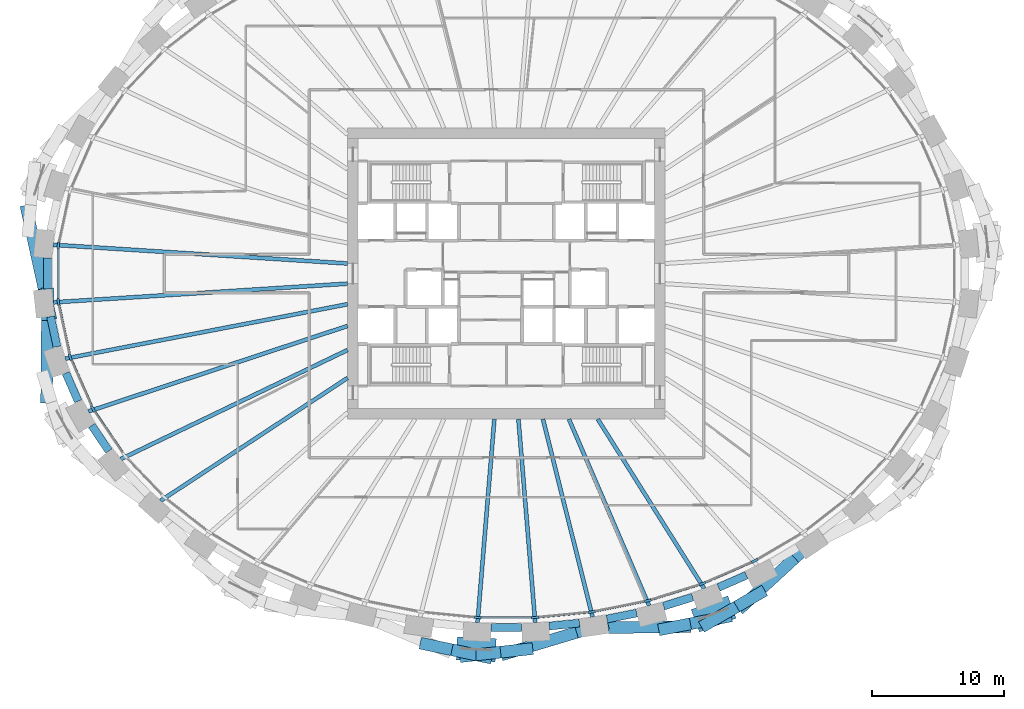
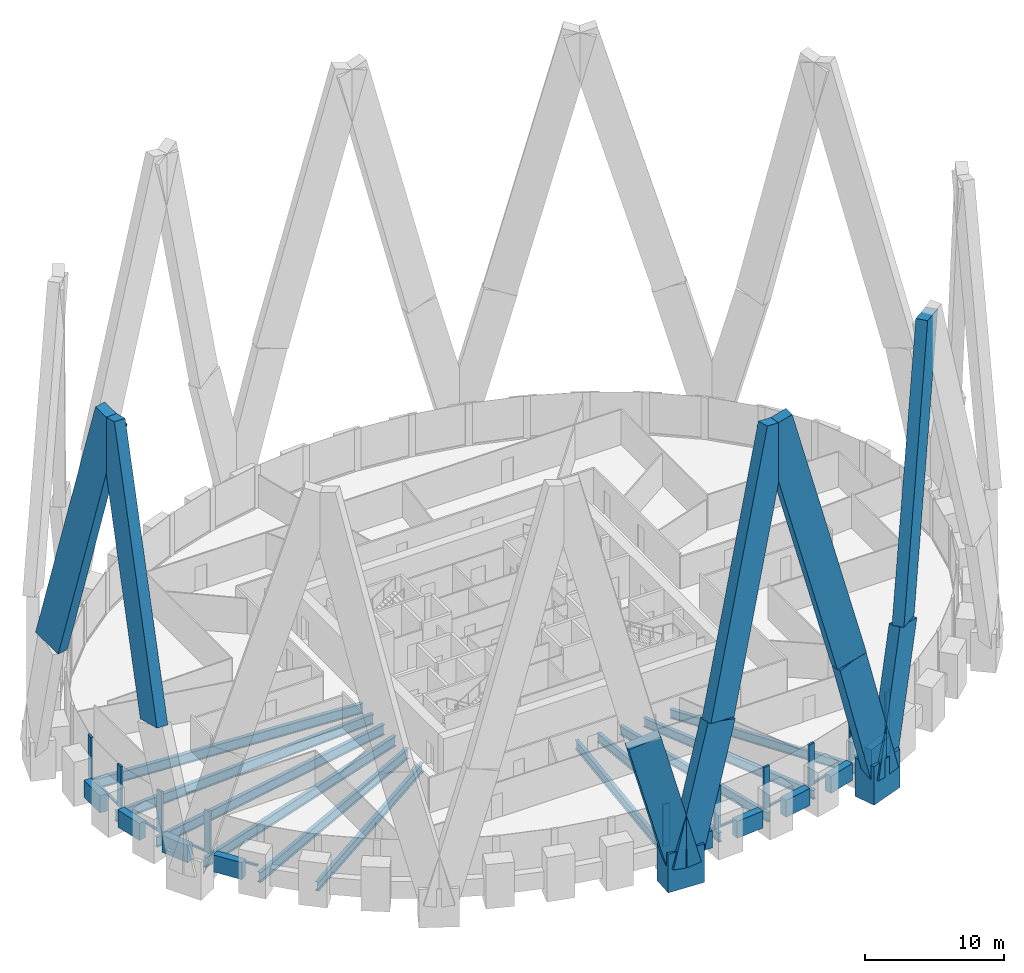
# One storey, part 2 of 12: 30 members, 20 beams, 1 element without a shape of its own.
"""IFC4 building model written with IfcOpenShell, lengths in metres."""

import ifcopenshell
import ifcopenshell.guid

model = None  # the IFC model being written
_history = None  # IfcOwnerHistory: only IFC2X3 demands one
_inside = {}  # id of a spatial element -> (the spatial element, [elements in it])
_under = {}  # id of a project, library or spatial element -> (it, [spatial elements below it])
_declared = {}  # id of a project -> (the project, [libraries it declares])
_typed = {}  # id of a type object -> (the type object, [elements of that type])
_made_of = {}  # id of a material, layer set ... -> (it, [elements and type objects made of it])


def new_model(schema):
    """Start an empty IFC model of exactly this schema.

    Asked for "IFC4X3", IfcOpenShell would pick the latest addendum, in which some entities
    have other attributes; the version numbers below select the first issue.
    IFC2X3 requires an IfcOwnerHistory on every rooted entity: one is made here for all.
    """
    global model, _history
    if schema == "IFC4X3":
        model = ifcopenshell.file(schema_version=(4, 3, 0, 0))
    else:
        model = ifcopenshell.file(schema=schema)
    _inside.clear()
    _under.clear()
    _declared.clear()
    _typed.clear()
    _made_of.clear()
    _history = None
    if model.schema == "IFC2X3":
        org = make("IfcOrganization", Name="unknown")
        user = make(
            "IfcPersonAndOrganization",
            ThePerson=make("IfcPerson", FamilyName="unknown"),
            TheOrganization=org,
        )
        app = make(
            "IfcApplication",
            ApplicationDeveloper=org,
            Version="unknown",
            ApplicationFullName="unknown",
            ApplicationIdentifier="unknown",
        )
        _history = make(
            "IfcOwnerHistory",
            OwningUser=user,
            OwningApplication=app,
            ChangeAction="ADDED",
            CreationDate=0,
        )
    return model


def make(cls, **values):
    """One entity of the class cls with the attributes given. An attribute that is None is left unset."""
    return model.create_entity(
        cls, **{name: value for name, value in values.items() if value is not None}
    )


def rooted(cls, **values):
    """An entity with a GlobalId (a new one), such as an element, a storey or a relation."""
    return make(cls, GlobalId=ifcopenshell.guid.new(), OwnerHistory=_history, **values)


def si_unit(unit_type, name, prefix=None):
    """IfcSIUnit, for example si_unit("LENGTHUNIT", "METRE", prefix="MILLI")."""
    return make("IfcSIUnit", UnitType=unit_type, Prefix=prefix, Name=name)


def assignment(units):
    """IfcUnitAssignment: the units of a project."""
    return None if units is None else make("IfcUnitAssignment", Units=units)


def point(xyz):
    """IfcCartesianPoint."""
    return None if xyz is None else make("IfcCartesianPoint", Coordinates=xyz)


def direction(xyz):
    """IfcDirection."""
    return None if xyz is None else make("IfcDirection", DirectionRatios=xyz)


def frame(location, z_axis=None, x_axis=None):
    """IfcAxis2Placement3D, a coordinate frame: its origin and axes. An axis left out is left unset."""
    return make(
        "IfcAxis2Placement3D",
        Location=point(location),
        Axis=direction(z_axis),
        RefDirection=direction(x_axis),
    )


def frame_2d(location, x_axis=None):
    """IfcAxis2Placement2D, a coordinate frame in the plane: its origin and x axis."""
    return make(
        "IfcAxis2Placement2D", Location=point(location), RefDirection=direction(x_axis)
    )


def origin():
    """The frame at (0, 0, 0) with its axes left unset."""
    return frame((0.0, 0.0, 0.0))


def origin_2d():
    """The frame at (0, 0) in the plane with its x axis left unset."""
    return frame_2d((0.0, 0.0))


def place(relative_to, where):
    """IfcLocalPlacement: puts the frame where relative to a parent placement (None: the world)."""
    return make(
        "IfcLocalPlacement", PlacementRelTo=relative_to, RelativePlacement=where
    )


def context(
    kind, dimensions, precision=None, world=None, true_north=None, identifier=None
):
    """IfcGeometricRepresentationContext, for example the 3D "Model" context."""
    return make(
        "IfcGeometricRepresentationContext",
        ContextIdentifier=identifier,
        ContextType=kind,
        CoordinateSpaceDimension=dimensions,
        Precision=precision,
        WorldCoordinateSystem=world,
        TrueNorth=true_north,
    )


def subcontext(parent, identifier, kind, view, scale=None):
    """IfcGeometricRepresentationSubContext, for example "Body" below "Model"."""
    return make(
        "IfcGeometricRepresentationSubContext",
        ContextIdentifier=identifier,
        ContextType=kind,
        ParentContext=parent,
        TargetScale=scale,
        TargetView=view,
    )


def project(units=None, contexts=None):
    """IfcProject with its units and contexts."""
    return rooted(
        "IfcProject",
        Name="project",
        RepresentationContexts=contexts,
        UnitsInContext=assignment(units),
    )


def spatial(cls, under=None, at=None, **own):
    """A site, building, storey or space (cls), placed at a placement, below another one or the project."""
    s = rooted(cls, ObjectPlacement=at, **own)
    if under is not None:
        _under.setdefault(under.id(), (under, []))[1].append(s)
    return s


def profile(cls, at=None, kind="AREA", **sizes):
    """A parametric profile (cls). Its sizes go by their IFC names, for example OverallWidth=200.0."""
    return make(cls, ProfileType=kind, Position=at, **sizes)


def rectangle(**sizes):
    """IfcRectangleProfileDef."""
    return profile("IfcRectangleProfileDef", **sizes)


def i_section(**sizes):
    """IfcIShapeProfileDef."""
    return profile("IfcIShapeProfileDef", **sizes)


def extrude(swept, where, along, depth):
    """IfcExtrudedAreaSolid: the profile swept, set in the frame where, extruded along a direction by depth."""
    return make(
        "IfcExtrudedAreaSolid",
        SweptArea=swept,
        Position=where,
        ExtrudedDirection=direction(along),
        Depth=depth,
    )


def shape(context_of_items, identifier, shape_type, items):
    """IfcShapeRepresentation: the items that make up one representation, for example the "Body"."""
    return make(
        "IfcShapeRepresentation",
        ContextOfItems=context_of_items,
        RepresentationIdentifier=identifier,
        RepresentationType=shape_type,
        Items=items,
    )


def source(mapping_origin, context_of_items, identifier, shape_type, items):
    """IfcRepresentationMap: a shape defined once, which mapped items show again and again."""
    return make(
        "IfcRepresentationMap",
        MappingOrigin=mapping_origin,
        MappedRepresentation=shape(context_of_items, identifier, shape_type, items),
    )


def transform(
    local_origin,
    x_axis=None,
    y_axis=None,
    z_axis=None,
    scale=None,
    scale2=None,
    scale3=None,
    uniform=True,
):
    """IfcCartesianTransformationOperator3D, or its non-uniform kind. x_axis, y_axis, z_axis: its Axis1, 2, 3."""
    if uniform:
        return make(
            "IfcCartesianTransformationOperator3D",
            Axis1=direction(x_axis),
            Axis2=direction(y_axis),
            LocalOrigin=point(local_origin),
            Scale=scale,
            Axis3=direction(z_axis),
        )
    return make(
        "IfcCartesianTransformationOperator3DnonUniform",
        Axis1=direction(x_axis),
        Axis2=direction(y_axis),
        LocalOrigin=point(local_origin),
        Scale=scale,
        Axis3=direction(z_axis),
        Scale2=scale2,
        Scale3=scale3,
    )


def mapped(mapping_source, mapping_target):
    """IfcMappedItem: shows the shape of a source again, moved by a transform."""
    return make(
        "IfcMappedItem", MappingSource=mapping_source, MappingTarget=mapping_target
    )


def material(Name=None, Category=None):
    """IfcMaterial."""
    return make("IfcMaterial", Name=Name, Category=Category)


def material_profile(
    of_material, cross_section, Name=None, Category=None, Priority=None
):
    """IfcMaterialProfile: a cross section and its material."""
    return make(
        "IfcMaterialProfile",
        Name=Name,
        Material=of_material,
        Profile=cross_section,
        Priority=Priority,
        Category=Category,
    )


def profile_set(profiles, Name=None, composite=None):
    """IfcMaterialProfileSet."""
    return make(
        "IfcMaterialProfileSet",
        Name=Name,
        MaterialProfiles=profiles,
        CompositeProfile=composite,
    )


def made_of(thing, what):
    """Note that an element or type object is made of a material, layer set ...; save() writes the relation."""
    if what is not None:
        _made_of.setdefault(what.id(), (what, []))[1].append(thing)
    return thing


def type_object(cls, material=None, **own):
    """A type object (cls), such as IfcWallType, which elements share."""
    return made_of(rooted(cls, **own), material)


def element(
    cls,
    number,
    at=None,
    inside=None,
    cuts=None,
    type_object=None,
    material=None,
    context=None,
    identifier="Body",
    shape_type=None,
    held_by="IfcProductDefinitionShape",
    body=None,
    shapes=None,
    **own,
):
    """One element of the class cls, such as IfcWall. Its Tag is "e" and its number.

    at: its placement. inside: the storey or other place that contains it. cuts: it is an
    opening in that element (IfcRelVoidsElement). A single representation is given by context,
    identifier, shape_type and body (its items); several are given by shapes. held_by: the class
    of the entity that holds the representations. save() writes the other relations.
    """
    e = rooted(cls, Tag="e%d" % number, ObjectPlacement=at, **own)
    if body is not None:
        shapes = [shape(context, identifier, shape_type, body)]
    if shapes is not None:
        e.Representation = make(held_by, Representations=shapes)
    if inside is not None:
        _inside.setdefault(inside.id(), (inside, []))[1].append(e)
    if cuts is not None:
        rooted(
            "IfcRelVoidsElement", RelatingBuildingElement=cuts, RelatedOpeningElement=e
        )
    if type_object is not None:
        _typed.setdefault(type_object.id(), (type_object, []))[1].append(e)
    return made_of(e, material)


def aggregate(whole, parts):
    """IfcRelAggregates: a whole, such as a stair, and the parts it consists of."""
    return rooted("IfcRelAggregates", RelatingObject=whole, RelatedObjects=parts)


def save(model, path):
    """Write the relations noted so far, then the file.

    IfcRelAggregates (storeys below a building ...), IfcRelContainedInSpatialStructure (elements
    in a storey), IfcRelDefinesByType, IfcRelAssociatesMaterial and IfcRelDeclares: one each for
    every whole, place, type object, material and project.
    """
    for whole, parts in _under.values():
        aggregate(whole, parts)
    for where, things in _inside.values():
        rooted(
            "IfcRelContainedInSpatialStructure",
            RelatedElements=things,
            RelatingStructure=where,
        )
    for kind, things in _typed.values():
        rooted("IfcRelDefinesByType", RelatedObjects=things, RelatingType=kind)
    for what, things in _made_of.values():
        rooted("IfcRelAssociatesMaterial", RelatedObjects=things, RelatingMaterial=what)
    for by, libraries in _declared.values():
        rooted("IfcRelDeclares", RelatingContext=by, RelatedDefinitions=libraries)
    model.write(path)


model = new_model("IFC4")

# Units and contexts
model_context = context("Model", 3, precision=1e-05, world=origin(), true_north=direction((0.0, 1.0)))
body_context = subcontext(model_context, "Body", "Model", "MODEL_VIEW")
ifc_project = project(units=[si_unit("LENGTHUNIT", "METRE"), si_unit("AREAUNIT", "SQUARE_METRE"), si_unit("VOLUMEUNIT", "CUBIC_METRE"), si_unit("PLANEANGLEUNIT", "RADIAN"), si_unit("MASSUNIT", "GRAM", prefix="KILO")], contexts=[model_context])

# Site, building, storey
site_placement = place(None, origin())
site = spatial("IfcSite", under=ifc_project, at=site_placement, CompositionType="ELEMENT")
building_placement = place(site_placement, origin())
building = spatial("IfcBuilding", under=site, at=building_placement, Name="Embergate Tower", CompositionType="ELEMENT")
storey_placement = place(building_placement, frame((0.0, 0.0, 222.89990234375)))
storey = spatial("IfcBuildingStorey", under=building, at=storey_placement, Name="L51", CompositionType="ELEMENT", Elevation=222.89990234375)

# Beams
ifc_material_1 = material(Name="Concrete C60", Category="concrete")
ifc_material_profile_1 = material_profile(ifc_material_1, rectangle(XDim=0.60009765625, YDim=1.5, at=origin_2d()), Name="RC 600x1500")
ifc_profile_set_1 = profile_set([ifc_material_profile_1], Name="Concrete C60")
beam_type_1 = type_object("IfcBeamType", Name="Spandrel beam RC 600x1500 C60", PredefinedType="BEAM", material=ifc_profile_set_1)
shared_shape_1 = source(origin(), body_context, "Body", "SweptSolid", [
    extrude(rectangle(XDim=0.60009765625, YDim=1.5, at=origin_2d()), origin(), (0.0, 0.0, 1.0), 2.326171875),
])
beam_1_placement = place(storey_placement, frame((-34.43701171875, -3.2529296875, 0.0), z_axis=(0.210224296762, -0.977653182397, 0.0), x_axis=(0.977653182397, 0.210224296762, 0.0)))
element("IfcBeam", 1, at=beam_1_placement, inside=storey, type_object=beam_type_1, Name="SPN-L51-22", PredefinedType="BEAM", context=body_context, shape_type="MappedRepresentation", body=[
    mapped(shared_shape_1, transform((0.0, 0.0, 0.0))),
])
shared_shape_2 = source(origin(), body_context, "Body", "SweptSolid", [
    extrude(rectangle(XDim=0.60009765625, YDim=1.5, at=origin_2d()), origin(), (0.0, 0.0, 1.0), 2.3193359375),
])
beam_2_placement = place(storey_placement, frame((-33.282958984375, -7.51904296875, 0.0), z_axis=(0.401768353021, -0.915741333844, 0.0), x_axis=(0.915741333844, 0.401768353021, 0.0)))
element("IfcBeam", 2, at=beam_2_placement, inside=storey, type_object=beam_type_1, Name="SPN-L51-23", PredefinedType="BEAM", context=body_context, shape_type="MappedRepresentation", body=[
    mapped(shared_shape_2, transform((0.0, 0.0, 0.0))),
])
shared_shape_3 = source(origin(), body_context, "Body", "SweptSolid", [
    extrude(rectangle(XDim=0.60009765625, YDim=1.5, at=origin_2d()), origin(), (0.0, 0.0, 1.0), 2.315673828125),
])
beam_3_placement = place(storey_placement, frame((-31.3349609375, -11.47998046875, 0.0), z_axis=(0.562243694996, -0.82697160014, 0.0), x_axis=(0.82697160014, 0.562243694996, 0.0)))
element("IfcBeam", 3, at=beam_3_placement, inside=storey, type_object=beam_type_1, Name="SPN-L51-24", PredefinedType="BEAM", context=body_context, shape_type="MappedRepresentation", body=[
    mapped(shared_shape_3, transform((0.0, 0.0, 0.0))),
])
shared_shape_4 = source(origin(), body_context, "Body", "SweptSolid", [
    extrude(rectangle(XDim=0.60009765625, YDim=1.5, at=origin_2d()), origin(), (0.0, 0.0, 1.0), 2.294189453125),
])
beam_4_placement = place(storey_placement, frame((16.033935546875, -23.712890625, 0.0), z_axis=(0.916269649714, 0.400562016437, 0.0), x_axis=(-0.400562016437, 0.916269649714, 0.0)))
element("IfcBeam", 4, at=beam_4_placement, inside=storey, type_object=beam_type_1, Name="SPN-L51-36", PredefinedType="BEAM", context=body_context, shape_type="MappedRepresentation", body=[
    mapped(shared_shape_4, transform((0.0, 0.0, 0.0))),
])
shared_shape_5 = source(origin(), body_context, "Body", "SweptSolid", [
    extrude(rectangle(XDim=0.60009765625, YDim=1.5, at=origin_2d()), origin(), (0.0, 0.0, 1.0), 2.29248046875),
])
beam_5_placement = place(storey_placement, frame((11.8779296875, -25.1279296875, 0.0), z_axis=(0.954869530389, 0.297025554345, 0.0), x_axis=(-0.297025554345, 0.954869530389, 0.0)))
element("IfcBeam", 5, at=beam_5_placement, inside=storey, type_object=beam_type_1, Name="SPN-L51-35", PredefinedType="BEAM", context=body_context, shape_type="MappedRepresentation", body=[
    mapped(shared_shape_5, transform((0.0, 0.0, 0.0))),
])
shared_shape_6 = source(origin(), body_context, "Body", "SweptSolid", [
    extrude(rectangle(XDim=0.60009765625, YDim=1.5, at=origin_2d()), origin(), (0.0, 0.0, 1.0), 2.289794921875),
])
beam_6_placement = place(storey_placement, frame((7.597900390625, -26.097900390625, 0.0), z_axis=(0.980502681686, 0.196505702735, 0.0), x_axis=(-0.196505702735, 0.980502681686, 0.0)))
element("IfcBeam", 6, at=beam_6_placement, inside=storey, type_object=beam_type_1, Name="SPN-L51-34", PredefinedType="BEAM", context=body_context, shape_type="MappedRepresentation", body=[
    mapped(shared_shape_6, transform((0.0, 0.0, 0.0))),
])
shared_shape_7 = source(origin(), body_context, "Body", "SweptSolid", [
    extrude(rectangle(XDim=0.60009765625, YDim=1.5, at=origin_2d()), origin(), (0.0, 0.0, 1.0), 2.2890625),
])
beam_7_placement = place(storey_placement, frame((3.242919921875, -26.632080078125, 0.0), z_axis=(0.995195366702, 0.097909050116, 0.0), x_axis=(-0.097909050116, 0.995195366702, 0.0)))
element("IfcBeam", 7, at=beam_7_placement, inside=storey, type_object=beam_type_1, Name="SPN-L51-33", PredefinedType="BEAM", context=body_context, shape_type="MappedRepresentation", body=[
    mapped(shared_shape_7, transform((0.0, 0.0, 0.0))),
])
shared_shape_8 = source(origin(), body_context, "Body", "SweptSolid", [
    extrude(rectangle(XDim=0.60009765625, YDim=1.5, at=origin_2d()), origin(), (0.0, 0.0, 1.0), 2.2900390625),
])
beam_8_placement = place(storey_placement, frame((-1.14501953125, -26.735107421875, 0.0), z_axis=(1.0, 0.0, 0.0), x_axis=(0.0, 1.0, 0.0)))
element("IfcBeam", 8, at=beam_8_placement, inside=storey, type_object=beam_type_1, Name="SPN-L51-32", PredefinedType="BEAM", context=body_context, shape_type="MappedRepresentation", body=[
    mapped(shared_shape_8, transform((0.0, 0.0, 0.0))),
])
shared_shape_9 = source(origin(), body_context, "Body", "SweptSolid", [
    extrude(rectangle(XDim=0.60009765625, YDim=1.5, at=origin_2d()), origin(), (0.0, 0.0, 1.0), 2.328125),
])
beam_9_placement = place(storey_placement, frame((-34.658935546875, 1.1640625, 0.0), z_axis=(0.0, -1.0, 0.0), x_axis=(1.0, 0.0, 0.0)))
element("IfcBeam", 9, at=beam_9_placement, inside=storey, type_object=beam_type_1, Name="SPN-L51-21", PredefinedType="BEAM", context=body_context, shape_type="MappedRepresentation", body=[
    mapped(shared_shape_9, transform((0.0, 0.0, 0.0))),
])
ifc_material_2 = material(Name="Steel Q355B", Category="steel")
ifc_material_profile_2 = material_profile(ifc_material_2, i_section(OverallWidth=0.300048828125, OverallDepth=0.89990234375, WebThickness=0.01611328125, FlangeThickness=0.028076171875, FilletRadius=0.028076171875, at=origin_2d()), Name="HN 900x300x16x28")
ifc_profile_set_2 = profile_set([ifc_material_profile_2], Name="Steel Q355 grade B")
beam_type_2 = type_object("IfcBeamType", Name="Radial girder HN 900x300x16x28", PredefinedType="BEAM", material=ifc_profile_set_2)
shared_shape_10 = source(origin(), body_context, "Body", "SweptSolid", [
    extrude(i_section(OverallWidth=0.300048828125, OverallDepth=0.89990234375, WebThickness=0.01611328125, FlangeThickness=0.028076171875, FilletRadius=0.028076171875, at=origin_2d()), origin(), (0.0, 0.0, 1.0), 22.283935546875),
])
for number, where, z_axis, x_axis, name in (
    (10, (-34.239013671875, 2.175048828125, -0.64990234375), (0.997987372241, -0.063412970662, 0.0), (0.063412970662, 0.997987372241, 0.0), "GIR-L51-21"),
    (11, (-34.239013671875, -2.175048828125, -0.64990234375), (0.997987372241, 0.063412970662, 0.0), (-0.063412970662, 0.997987372241, 0.0), "GIR-L51-22"),
):
    element("IfcBeam", number, at=place(storey_placement, frame(where, z_axis=z_axis, x_axis=x_axis)), inside=storey, type_object=beam_type_2, Name=name, PredefinedType="BEAM", context=body_context, shape_type="MappedRepresentation", body=[
        mapped(shared_shape_10, transform((0.0, 0.0, 0.0))),
    ])
shared_shape_11 = source(origin(), body_context, "Body", "SweptSolid", [
    extrude(i_section(OverallWidth=0.300048828125, OverallDepth=0.89990234375, WebThickness=0.01611328125, FlangeThickness=0.028076171875, FilletRadius=0.028076171875, at=origin_2d()), origin(), (0.0, 0.0, 1.0), 21.717041015625),
])
beam_10_placement = place(storey_placement, frame((-33.323974609375, -6.427978515625, -0.64990234375), z_axis=(0.981901494291, 0.189392332234, 0.0), x_axis=(-0.189392332234, 0.981901494291, 0.0)))
element("IfcBeam", 12, at=beam_10_placement, inside=storey, type_object=beam_type_2, Name="GIR-L51-23", PredefinedType="BEAM", context=body_context, shape_type="MappedRepresentation", body=[
    mapped(shared_shape_11, transform((0.0, 0.0, 0.0))),
])
shared_shape_12 = source(origin(), body_context, "Body", "SweptSolid", [
    extrude(i_section(OverallWidth=0.300048828125, OverallDepth=0.89990234375, WebThickness=0.01611328125, FlangeThickness=0.028076171875, FilletRadius=0.028076171875, at=origin_2d()), origin(), (0.0, 0.0, 1.0), 20.614013671875),
])
beam_11_placement = place(storey_placement, frame((-31.576904296875, -10.4130859375, -0.64990234375), z_axis=(0.949691049508, 0.313188298767, 0.0), x_axis=(-0.313188298767, 0.949691049508, 0.0)))
element("IfcBeam", 13, at=beam_11_placement, inside=storey, type_object=beam_type_2, Name="GIR-L51-24", PredefinedType="BEAM", context=body_context, shape_type="MappedRepresentation", body=[
    mapped(shared_shape_12, transform((0.0, 0.0, 0.0))),
])
shared_shape_13 = source(origin(), body_context, "Body", "SweptSolid", [
    extrude(i_section(OverallWidth=0.300048828125, OverallDepth=0.89990234375, WebThickness=0.01611328125, FlangeThickness=0.028076171875, FilletRadius=0.028076171875, at=origin_2d()), origin(), (0.0, 0.0, 1.0), 19.0078125),
])
beam_12_placement = place(storey_placement, frame((-29.12890625, -14.012939453125, -0.64990234375), z_axis=(0.901150926949, 0.433505486538, 0.0), x_axis=(-0.433505486538, 0.901150926949, 0.0)))
element("IfcBeam", 14, at=beam_12_placement, inside=storey, type_object=beam_type_2, Name="GIR-L51-25", PredefinedType="BEAM", context=body_context, shape_type="MappedRepresentation", body=[
    mapped(shared_shape_13, transform((0.0, 0.0, 0.0))),
])
ifc_material_profile_3 = material_profile(ifc_material_2, i_section(OverallWidth=0.300048828125, OverallDepth=0.800048828125, WebThickness=0.013916015625, FlangeThickness=0.02587890625, FilletRadius=0.028076171875, at=origin_2d()), Name="HN 800x300x14x26")
ifc_profile_set_3 = profile_set([ifc_material_profile_3], Name="Steel Q355 grade B")
beam_type_3 = type_object("IfcBeamType", Name="Radial girder HN 800x300x14x26", PredefinedType="BEAM", material=ifc_profile_set_3)
shared_shape_14 = source(origin(), body_context, "Body", "SweptSolid", [
    extrude(i_section(OverallWidth=0.300048828125, OverallDepth=0.800048828125, WebThickness=0.013916015625, FlangeThickness=0.02587890625, FilletRadius=0.028076171875, at=origin_2d()), origin(), (0.0, 0.0, 1.0), 16.89990234375),
])
beam_13_placement = place(storey_placement, frame((-26.1240234375, -17.1640625, -0.599853515625), z_axis=(0.83574544769, 0.549117060986, 0.0), x_axis=(-0.549117060986, 0.83574544769, 0.0)))
element("IfcBeam", 15, at=beam_13_placement, inside=storey, type_object=beam_type_3, Name="GIR-L51-26", PredefinedType="BEAM", context=body_context, shape_type="MappedRepresentation", body=[
    mapped(shared_shape_14, transform((0.0, 0.0, 0.0))),
])
shared_shape_15 = source(origin(), body_context, "Body", "SweptSolid", [
    extrude(i_section(OverallWidth=0.300048828125, OverallDepth=0.800048828125, WebThickness=0.013916015625, FlangeThickness=0.02587890625, FilletRadius=0.028076171875, at=origin_2d()), origin(), (0.0, 0.0, 1.0), 15.111572265625),
])
beam_14_placement = place(storey_placement, frame((14.945068359375, -23.797119140625, -0.599853515625), z_axis=(-0.531849241283, 0.846839054689, 0.0), x_axis=(-0.846839054689, -0.531849241283, 0.0)))
element("IfcBeam", 16, at=beam_14_placement, inside=storey, type_object=beam_type_3, Name="GIR-L51-36", PredefinedType="BEAM", context=body_context, shape_type="MappedRepresentation", body=[
    mapped(shared_shape_15, transform((0.0, 0.0, 0.0))),
])
shared_shape_16 = source(origin(), body_context, "Body", "SweptSolid", [
    extrude(i_section(OverallWidth=0.300048828125, OverallDepth=0.800048828125, WebThickness=0.013916015625, FlangeThickness=0.02587890625, FilletRadius=0.028076171875, at=origin_2d()), origin(), (0.0, 0.0, 1.0), 15.338623046875),
])
beam_15_placement = place(storey_placement, frame((10.784912109375, -25.092041015625, -0.599853515625), z_axis=(-0.394879579292, 0.91873288711, 0.0), x_axis=(-0.91873288711, -0.394879579292, 0.0)))
element("IfcBeam", 17, at=beam_15_placement, inside=storey, type_object=beam_type_3, Name="GIR-L51-35", PredefinedType="BEAM", context=body_context, shape_type="MappedRepresentation", body=[
    mapped(shared_shape_16, transform((0.0, 0.0, 0.0))),
])
shared_shape_17 = source(origin(), body_context, "Body", "SweptSolid", [
    extrude(i_section(OverallWidth=0.300048828125, OverallDepth=0.800048828125, WebThickness=0.013916015625, FlangeThickness=0.02587890625, FilletRadius=0.028076171875, at=origin_2d()), origin(), (0.0, 0.0, 1.0), 15.412841796875),
])
beam_16_placement = place(storey_placement, frame((6.513916015625, -25.948974609375, -0.599853515625), z_axis=(-0.243493364417, 0.969902562882, 0.0), x_axis=(-0.969902562882, -0.243493364417, 0.0)))
element("IfcBeam", 18, at=beam_16_placement, inside=storey, type_object=beam_type_3, Name="GIR-L51-34", PredefinedType="BEAM", context=body_context, shape_type="MappedRepresentation", body=[
    mapped(shared_shape_17, transform((0.0, 0.0, 0.0))),
])
shared_shape_18 = source(origin(), body_context, "Body", "SweptSolid", [
    extrude(i_section(OverallWidth=0.300048828125, OverallDepth=0.800048828125, WebThickness=0.013916015625, FlangeThickness=0.02587890625, FilletRadius=0.028076171875, at=origin_2d()), origin(), (0.0, 0.0, 1.0), 15.42724609375),
])
for number, where, z_axis, x_axis, name in (
    (19, (-2.178955078125, -26.375, -0.599853515625), (0.0823225207, 0.996605740795, 0.0), (-0.996605740795, 0.0823225207, 0.0), "GIR-L51-32"),
    (20, (2.178955078125, -26.375, -0.599853515625), (-0.0823225207, 0.996605740795, 0.0), (-0.996605740795, -0.0823225207, 0.0), "GIR-L51-33"),
):
    element("IfcBeam", number, at=place(storey_placement, frame(where, z_axis=z_axis, x_axis=x_axis)), inside=storey, type_object=beam_type_3, Name=name, PredefinedType="BEAM", context=body_context, shape_type="MappedRepresentation", body=[
        mapped(shared_shape_18, transform((0.0, 0.0, 0.0))),
    ])

# Members
ifc_material_3 = material(Name="Concrete C70", Category="concrete")
ifc_material_profile_4 = material_profile(ifc_material_3, rectangle(XDim=1.800048828125, YDim=2.949951171875, at=origin_2d()), Name="RC 1800x2950")
ifc_profile_set_4 = profile_set([ifc_material_profile_4], Name="Concrete C70")
member_type_1 = type_object("IfcMemberType", Name="Lattice node block RC 1800x2950", PredefinedType="POST", material=ifc_profile_set_4)
shared_shape_19 = source(origin(), body_context, "Body", "SweptSolid", [
    extrude(rectangle(XDim=1.800048828125, YDim=2.949951171875, at=origin_2d()), origin(), (0.0, 0.0, 1.0), 3.400146484375),
])
member_1_placement = place(storey_placement, frame((15.658935546875, -25.718017578125, -1.699951171875), z_axis=(0.0, 0.0, 1.0), x_axis=(0.348343015724, -0.93736713373, 0.0)))
element("IfcMember", 21, at=member_1_placement, inside=storey, type_object=member_type_1, Name="NOD-L51-36", PredefinedType="POST", context=body_context, shape_type="MappedRepresentation", body=[
    mapped(shared_shape_19, transform((0.0, 0.0, 0.0))),
])
ifc_material_profile_5 = material_profile(ifc_material_3, rectangle(XDim=1.75, YDim=2.949951171875, at=origin_2d()), Name="RC 1750x2950")
ifc_profile_set_5 = profile_set([ifc_material_profile_5], Name="Concrete C70")
member_type_2 = type_object("IfcMemberType", Name="Lattice node block RC 1750x2950", PredefinedType="POST", material=ifc_profile_set_5)
shared_shape_20 = source(origin(), body_context, "Body", "SweptSolid", [
    extrude(rectangle(XDim=1.75, YDim=2.949951171875, at=origin_2d()), origin(), (0.0, 0.0, 1.0), 3.400146484375),
])
member_2_placement = place(storey_placement, frame((-2.277099609375, -28.39697265625, -1.699951171875), z_axis=(0.0, 0.0, 1.0), x_axis=(-0.048814904854, -0.998807841912, 0.0)))
element("IfcMember", 22, at=member_2_placement, inside=storey, type_object=member_type_2, Name="NOD-L51-32", PredefinedType="POST", context=body_context, shape_type="MappedRepresentation", body=[
    mapped(shared_shape_20, transform((0.0, 0.0, 0.0))),
])
ifc_material_profile_6 = material_profile(ifc_material_3, rectangle(XDim=0.89990234375, YDim=2.530029296875, at=origin_2d()), Name="RC 900x2530")
ifc_profile_set_6 = profile_set([ifc_material_profile_6], Name="Concrete C70")
member_type_3 = type_object("IfcMemberType", Name="Lattice diagonal terracotta-faced RC 900x2530", PredefinedType="BRACE", material=ifc_profile_set_6)
shared_shape_21 = source(origin(), body_context, "Body", "SweptSolid", [
    extrude(rectangle(XDim=0.89990234375, YDim=2.530029296875, at=origin_2d()), origin(), (0.0, 0.0, 1.0), 24.074462890625),
])
member_3_placement = place(storey_placement, frame((-36.051025390625, 3.969970703125, 11.7001953125), z_axis=(0.05699258008, -0.260938803923, 0.963671513755), x_axis=(0.976968579349, 0.213383211533, 0.0)))
element("IfcMember", 23, at=member_3_placement, inside=storey, type_object=member_type_3, Name="BRC-L51-20-22-S01", PredefinedType="BRACE", context=body_context, shape_type="MappedRepresentation", body=[
    mapped(shared_shape_21, transform((0.0, 0.0, 0.0))),
])
shared_shape_22 = source(origin(), body_context, "Body", "SweptSolid", [
    extrude(rectangle(XDim=0.89990234375, YDim=2.530029296875, at=origin_2d()), origin(), (0.0, 0.0, 1.0), 24.026123046875),
])
member_4_placement = place(storey_placement, frame((-34.72900390625, -8.55810546875, 11.7001953125), z_axis=(0.002083101661, 0.259971087337, 0.965614154016), x_axis=(-0.9999678989, 0.008012563292, 0.0)))
element("IfcMember", 24, at=member_4_placement, inside=storey, type_object=member_type_3, Name="BRC-L51-24-22-S01", PredefinedType="BRACE", context=body_context, shape_type="MappedRepresentation", body=[
    mapped(shared_shape_22, transform((0.0, 0.0, 0.0))),
])
shared_shape_23 = source(origin(), body_context, "Body", "SweptSolid", [
    extrude(rectangle(XDim=0.89990234375, YDim=2.530029296875, at=origin_2d()), origin(), (0.0, 0.0, 1.0), 12.09912109375),
])
member_5_placement = place(storey_placement, frame((-2.297119140625, -28.80908203125, 0.0), z_axis=(-0.249183921522, 0.05248419952, 0.967032978784), x_axis=(-0.206102330878, -0.978530443679, 0.0)))
element("IfcMember", 25, at=member_5_placement, inside=storey, type_object=member_type_3, Name="BRC-L51-32-30-S00", PredefinedType="BRACE", context=body_context, shape_type="MappedRepresentation", body=[
    mapped(shared_shape_23, transform((0.0, 0.0, 0.0))),
])
shared_shape_24 = source(origin(), body_context, "Body", "SweptSolid", [
    extrude(rectangle(XDim=0.89990234375, YDim=2.530029296875, at=origin_2d()), origin(), (0.0, 0.0, 1.0), 12.102294921875),
])
member_6_placement = place(storey_placement, frame((-2.297119140625, -28.80908203125, 0.0), z_axis=(0.25410001533, 0.027939704766, 0.96677430412), x_axis=(-0.109296815166, 0.994009158003, 0.0)))
element("IfcMember", 26, at=member_6_placement, inside=storey, type_object=member_type_3, Name="BRC-L51-32-34-S00", PredefinedType="BRACE", context=body_context, shape_type="MappedRepresentation", body=[
    mapped(shared_shape_24, transform((0.0, 0.0, 0.0))),
])
shared_shape_25 = source(origin(), body_context, "Body", "SweptSolid", [
    extrude(rectangle(XDim=0.89990234375, YDim=2.530029296875, at=origin_2d()), origin(), (0.0, 0.0, 1.0), 23.95068359375),
])
member_7_placement = place(storey_placement, frame((0.778076171875, -28.470947265625, 11.7001953125), z_axis=(0.237906071884, 0.071436040609, 0.968657624273), x_axis=(-0.287585061243, 0.957755100508, 0.0)))
element("IfcMember", 27, at=member_7_placement, inside=storey, type_object=member_type_3, Name="BRC-L51-32-34-S01", PredefinedType="BRACE", context=body_context, shape_type="MappedRepresentation", body=[
    mapped(shared_shape_25, transform((0.0, 0.0, 0.0))),
])
shared_shape_26 = source(origin(), body_context, "Body", "SweptSolid", [
    extrude(rectangle(XDim=0.89990234375, YDim=2.530029296875, at=origin_2d()), origin(), (0.0, 0.0, 1.0), 12.116455078125),
])
member_8_placement = place(storey_placement, frame((15.799072265625, -26.093994140625, 0.0), z_axis=(-0.255114457637, -0.049346442363, 0.965650838622), x_axis=(0.189908581743, -0.981801777642, 0.0)))
element("IfcMember", 28, at=member_8_placement, inside=storey, type_object=member_type_3, Name="BRC-L51-36-34-S00", PredefinedType="BRACE", context=body_context, shape_type="MappedRepresentation", body=[
    mapped(shared_shape_26, transform((0.0, 0.0, 0.0))),
])
shared_shape_27 = source(origin(), body_context, "Body", "SweptSolid", [
    extrude(rectangle(XDim=0.89990234375, YDim=2.530029296875, at=origin_2d()), origin(), (0.0, 0.0, 1.0), 24.0224609375),
])
member_9_placement = place(storey_placement, frame((12.7080078125, -26.69189453125, 11.7001953125), z_axis=(-0.25942094815, -0.002835479297, 0.965760183336), x_axis=(0.010929379301, -0.99994027255, 0.0)))
element("IfcMember", 29, at=member_9_placement, inside=storey, type_object=member_type_3, Name="BRC-L51-36-34-S01", PredefinedType="BRACE", context=body_context, shape_type="MappedRepresentation", body=[
    mapped(shared_shape_27, transform((0.0, 0.0, 0.0))),
])
shared_shape_28 = source(origin(), body_context, "Body", "SweptSolid", [
    extrude(rectangle(XDim=0.89990234375, YDim=2.530029296875, at=origin_2d()), origin(), (0.0, 0.0, 1.0), 12.097900390625),
])
member_10_placement = place(storey_placement, frame((15.799072265625, -26.093994140625, 0.0), z_axis=(0.220109400225, 0.127298991164, 0.967133299386), x_axis=(-0.500645149024, 0.865652606279, 0.0)))
element("IfcMember", 30, at=member_10_placement, inside=storey, type_object=member_type_3, Name="BRC-L51-36-38-S00", PredefinedType="BRACE", context=body_context, shape_type="MappedRepresentation", body=[
    mapped(shared_shape_28, transform((0.0, 0.0, 0.0))),
])
shared_shape_29 = source(origin(), body_context, "Body", "SweptSolid", [
    extrude(rectangle(XDim=0.89990234375, YDim=2.530029296875, at=origin_2d()), origin(), (0.0, 0.0, 1.0), 23.901123046875),
])
member_11_placement = place(storey_placement, frame((18.4619140625, -24.553955078125, 11.7001953125), z_axis=(0.176978616363, 0.16274964184, 0.970665299386), x_axis=(-0.676897292077, 0.736077479603, 0.0)))
element("IfcMember", 31, at=member_11_placement, inside=storey, type_object=member_type_3, Name="BRC-L51-36-38-S01", PredefinedType="BRACE", context=body_context, shape_type="MappedRepresentation", body=[
    mapped(shared_shape_29, transform((0.0, 0.0, 0.0))),
])

# Curtain wall, members
ifc_material_4 = material(Name="Aluminium and glass", Category="aluminium")
curtain_wall_type = type_object("IfcCurtainWallType", Name="Recessed office glazing", PredefinedType="NOTDEFINED", material=ifc_material_4)
curtain_wall_placement = place(storey_placement, origin())
curtain_wall = element("IfcCurtainWall", 32, at=curtain_wall_placement, inside=storey, type_object=curtain_wall_type, Name="Recessed office glazing ring", ObjectType="RECESSED OFFICE GLAZING", PredefinedType="USERDEFINED")
ifc_material_5 = material(Name="Aluminium, thermally broken", Category="aluminium")
ifc_material_profile_7 = material_profile(ifc_material_5, rectangle(XDim=0.179931640625, YDim=0.52001953125, at=origin_2d()), Name="AL 520x180")
ifc_profile_set_7 = profile_set([ifc_material_profile_7], Name="Aluminium, thermally broken")
member_type_4 = type_object("IfcMemberType", Name="Office mullion", PredefinedType="MULLION", material=ifc_profile_set_7)
shared_shape_30 = source(origin(), body_context, "Body", "SweptSolid", [
    extrude(rectangle(XDim=0.179931640625, YDim=0.52001953125, at=origin_2d()), origin(), (0.0, 0.0, 1.0), 3.7001953125),
])
member_12_placement = place(storey_placement, frame((-33.851806640625, 2.13330078125, 0.0), z_axis=(0.0, 0.0, 1.0), x_axis=(0.994384770038, -0.105824992874, 0.0)))
member_12 = element("IfcMember", 33, at=member_12_placement, type_object=member_type_4, Name="CW mullion 22", PredefinedType="MULLION", context=body_context, shape_type="MappedRepresentation", body=[
    mapped(shared_shape_30, transform((0.0, 0.0, 0.0))),
])
member_13_placement = place(storey_placement, frame((-33.851806640625, -2.13330078125, 0.0), z_axis=(0.0, 0.0, 1.0), x_axis=(0.994384770038, 0.105824992874, 0.0)))
member_13 = element("IfcMember", 34, at=member_13_placement, type_object=member_type_4, Name="CW mullion 23", PredefinedType="MULLION", context=body_context, shape_type="MappedRepresentation", body=[
    mapped(shared_shape_30, transform((0.0, 0.0, 0.0))),
])
member_14_placement = place(storey_placement, frame((-32.953369140625, -6.307373046875, 0.0), z_axis=(0.0, 0.0, 1.0), x_axis=(0.951497261031, 0.307657215503, 0.0)))
member_14 = element("IfcMember", 35, at=member_14_placement, type_object=member_type_4, Name="CW mullion 24", PredefinedType="MULLION", context=body_context, shape_type="MappedRepresentation", body=[
    mapped(shared_shape_30, transform((0.0, 0.0, 0.0))),
])
member_15_placement = place(storey_placement, frame((-31.23583984375, -10.2236328125, 0.0), z_axis=(0.0, 0.0, 1.0), x_axis=(0.875001050883, 0.484121018914, 0.0)))
member_15 = element("IfcMember", 36, at=member_15_placement, type_object=member_type_4, Name="CW mullion 25", PredefinedType="MULLION", context=body_context, shape_type="MappedRepresentation", body=[
    mapped(shared_shape_30, transform((0.0, 0.0, 0.0))),
])
member_16_placement = place(storey_placement, frame((-2.1591796875, -25.9853515625, 0.0), z_axis=(0.0, 0.0, 1.0), x_axis=(0.048971796621, 0.998800161762, 0.0)))
member_16 = element("IfcMember", 37, at=member_16_placement, type_object=member_type_4, Name="CW mullion 33", PredefinedType="MULLION", context=body_context, shape_type="MappedRepresentation", body=[
    mapped(shared_shape_30, transform((0.0, 0.0, 0.0))),
])
member_17_placement = place(storey_placement, frame((2.1591796875, -25.9853515625, 0.0), z_axis=(0.0, 0.0, 1.0), x_axis=(-0.048971796621, 0.998800161762, 0.0)))
member_17 = element("IfcMember", 38, at=member_17_placement, type_object=member_type_4, Name="CW mullion 34", PredefinedType="MULLION", context=body_context, shape_type="MappedRepresentation", body=[
    mapped(shared_shape_30, transform((0.0, 0.0, 0.0))),
])
member_18_placement = place(storey_placement, frame((6.456787109375, -25.562744140625, 0.0), z_axis=(0.0, 0.0, 1.0), x_axis=(-0.14741410908, 0.98907486089, 0.0)))
member_18 = element("IfcMember", 39, at=member_18_placement, type_object=member_type_4, Name="CW mullion 35", PredefinedType="MULLION", context=body_context, shape_type="MappedRepresentation", body=[
    mapped(shared_shape_30, transform((0.0, 0.0, 0.0))),
])
member_19_placement = place(storey_placement, frame((10.689453125, -24.7138671875, 0.0), z_axis=(0.0, 0.0, 1.0), x_axis=(-0.247313572481, 0.968935496752, 0.0)))
member_19 = element("IfcMember", 40, at=member_19_placement, type_object=member_type_4, Name="CW mullion 36", PredefinedType="MULLION", context=body_context, shape_type="MappedRepresentation", body=[
    mapped(shared_shape_30, transform((0.0, 0.0, 0.0))),
])
member_20_placement = place(storey_placement, frame((14.80908203125, -23.430908203125, 0.0), z_axis=(0.0, 0.0, 1.0), x_axis=(-0.349504318111, 0.93693475313, 0.0)))
member_20 = element("IfcMember", 41, at=member_20_placement, type_object=member_type_4, Name="CW mullion 37", PredefinedType="MULLION", context=body_context, shape_type="MappedRepresentation", body=[
    mapped(shared_shape_30, transform((0.0, 0.0, 0.0))),
])
member_21_placement = place(storey_placement, frame((18.759521484375, -21.70361328125, 0.0), z_axis=(0.0, 0.0, 1.0), x_axis=(-0.454512935162, 0.89074013706, 0.0)))
member_21 = element("IfcMember", 42, at=member_21_placement, type_object=member_type_4, Name="CW mullion 38", PredefinedType="MULLION", context=body_context, shape_type="MappedRepresentation", body=[
    mapped(shared_shape_30, transform((0.0, 0.0, 0.0))),
])
ifc_material_profile_8 = material_profile(ifc_material_5, rectangle(XDim=0.179931640625, YDim=0.14990234375, at=origin_2d()), Name="AL 150x180")
ifc_profile_set_8 = profile_set([ifc_material_profile_8], Name="Aluminium, thermally broken")
member_type_5 = type_object("IfcMemberType", Name="Office sill transom", PredefinedType="USERDEFINED", material=ifc_profile_set_8)
shared_shape_31 = source(origin(), body_context, "Body", "SweptSolid", [
    extrude(rectangle(XDim=0.179931640625, YDim=0.14990234375, at=origin_2d()), origin(), (0.0, 0.0, 1.0), 3.74951171875),
])
member_22_placement = place(storey_placement, frame((-33.797119140625, -2.3876953125, 0.0751953125), z_axis=(0.210445024694, -0.977605693305, 0.0), x_axis=(0.977605693305, 0.210445024694, 0.0)))
member_22 = element("IfcMember", 43, at=member_22_placement, type_object=member_type_5, Name="CW transom 23.1", ObjectType="TRANSOM", PredefinedType="USERDEFINED", context=body_context, shape_type="MappedRepresentation", body=[
    mapped(shared_shape_31, transform((0.0, 0.0, 0.0))),
])
shared_shape_32 = source(origin(), body_context, "Body", "SweptSolid", [
    extrude(rectangle(XDim=0.179931640625, YDim=0.14990234375, at=origin_2d()), origin(), (0.0, 0.0, 1.0), 3.756591796875),
])
member_23_placement = place(storey_placement, frame((-32.848876953125, -6.54541015625, 0.0751953125), z_axis=(0.401647151286, -0.9157944998, 0.0), x_axis=(0.9157944998, 0.401647151286, 0.0)))
member_23 = element("IfcMember", 44, at=member_23_placement, type_object=member_type_5, Name="CW transom 24.1", ObjectType="TRANSOM", PredefinedType="USERDEFINED", context=body_context, shape_type="MappedRepresentation", body=[
    mapped(shared_shape_32, transform((0.0, 0.0, 0.0))),
])
shared_shape_33 = source(origin(), body_context, "Body", "SweptSolid", [
    extrude(rectangle(XDim=0.179931640625, YDim=0.14990234375, at=origin_2d()), origin(), (0.0, 0.0, 1.0), 3.764892578125),
])
member_24_placement = place(storey_placement, frame((-31.089599609375, -10.438720703125, 0.0751953125), z_axis=(0.562338399761, -0.826907204077, 0.0), x_axis=(0.826907204077, 0.562338399761, 0.0)))
member_24 = element("IfcMember", 45, at=member_24_placement, type_object=member_type_5, Name="CW transom 25.1", ObjectType="TRANSOM", PredefinedType="USERDEFINED", context=body_context, shape_type="MappedRepresentation", body=[
    mapped(shared_shape_33, transform((0.0, 0.0, 0.0))),
])
shared_shape_34 = source(origin(), body_context, "Body", "SweptSolid", [
    extrude(rectangle(XDim=0.179931640625, YDim=0.14990234375, at=origin_2d()), origin(), (0.0, 0.0, 1.0), 3.79150390625),
])
member_25_placement = place(storey_placement, frame((15.04736328125, -23.326904296875, 0.0751953125), z_axis=(0.916232688924, 0.400646552146, 0.0), x_axis=(-0.400646552146, 0.916232688924, 0.0)))
member_25 = element("IfcMember", 46, at=member_25_placement, type_object=member_type_5, Name="CW transom 37.1", ObjectType="TRANSOM", PredefinedType="USERDEFINED", context=body_context, shape_type="MappedRepresentation", body=[
    mapped(shared_shape_34, transform((0.0, 0.0, 0.0))),
])
shared_shape_35 = source(origin(), body_context, "Body", "SweptSolid", [
    extrude(rectangle(XDim=0.179931640625, YDim=0.14990234375, at=origin_2d()), origin(), (0.0, 0.0, 1.0), 3.794677734375),
])
member_26_placement = place(storey_placement, frame((10.937744140625, -24.63671875, 0.0751953125), z_axis=(0.954763453415, 0.297366353213, 0.0), x_axis=(-0.297366353213, 0.954763453415, 0.0)))
member_26 = element("IfcMember", 47, at=member_26_placement, type_object=member_type_5, Name="CW transom 36.1", ObjectType="TRANSOM", PredefinedType="USERDEFINED", context=body_context, shape_type="MappedRepresentation", body=[
    mapped(shared_shape_35, transform((0.0, 0.0, 0.0))),
])
shared_shape_36 = source(origin(), body_context, "Body", "SweptSolid", [
    extrude(rectangle(XDim=0.179931640625, YDim=0.14990234375, at=origin_2d()), origin(), (0.0, 0.0, 1.0), 3.797119140625),
])
member_27_placement = place(storey_placement, frame((6.711669921875, -25.51171875, 0.0751953125), z_axis=(0.980479151748, 0.196623073385, 0.0), x_axis=(-0.196623073385, 0.980479151748, 0.0)))
member_27 = element("IfcMember", 48, at=member_27_placement, type_object=member_type_5, Name="CW transom 35.1", ObjectType="TRANSOM", PredefinedType="USERDEFINED", context=body_context, shape_type="MappedRepresentation", body=[
    mapped(shared_shape_36, transform((0.0, 0.0, 0.0))),
])
shared_shape_37 = source(origin(), body_context, "Body", "SweptSolid", [
    extrude(rectangle(XDim=0.179931640625, YDim=0.14990234375, at=origin_2d()), origin(), (0.0, 0.0, 1.0), 3.798095703125),
])
member_28_placement = place(storey_placement, frame((2.418212890625, -25.9599609375, 0.0751953125), z_axis=(0.995202542426, 0.097836085104, 0.0), x_axis=(-0.097836085104, 0.995202542426, 0.0)))
member_28 = element("IfcMember", 49, at=member_28_placement, type_object=member_type_5, Name="CW transom 34.1", ObjectType="TRANSOM", PredefinedType="USERDEFINED", context=body_context, shape_type="MappedRepresentation", body=[
    mapped(shared_shape_37, transform((0.0, 0.0, 0.0))),
])
shared_shape_38 = source(origin(), body_context, "Body", "SweptSolid", [
    extrude(rectangle(XDim=0.179931640625, YDim=0.14990234375, at=origin_2d()), origin(), (0.0, 0.0, 1.0), 3.798828125),
])
member_29_placement = place(storey_placement, frame((-1.8994140625, -25.9853515625, 0.0751953125), z_axis=(1.0, 0.0, 0.0), x_axis=(0.0, 1.0, 0.0)))
member_29 = element("IfcMember", 50, at=member_29_placement, type_object=member_type_5, Name="CW transom 33.1", ObjectType="TRANSOM", PredefinedType="USERDEFINED", context=body_context, shape_type="MappedRepresentation", body=[
    mapped(shared_shape_38, transform((0.0, 0.0, 0.0))),
])
shared_shape_39 = source(origin(), body_context, "Body", "SweptSolid", [
    extrude(rectangle(XDim=0.179931640625, YDim=0.14990234375, at=origin_2d()), origin(), (0.0, 0.0, 1.0), 3.74658203125),
])
member_30_placement = place(storey_placement, frame((-33.851806640625, 1.873291015625, 0.0751953125), z_axis=(0.0, -1.0, 0.0), x_axis=(1.0, 0.0, 0.0)))
member_30 = element("IfcMember", 51, at=member_30_placement, type_object=member_type_5, Name="CW transom 22.1", ObjectType="TRANSOM", PredefinedType="USERDEFINED", context=body_context, shape_type="MappedRepresentation", body=[
    mapped(shared_shape_39, transform((0.0, 0.0, 0.0))),
])
aggregate(curtain_wall, [member_12, member_13, member_14, member_15, member_16, member_17, member_18, member_19, member_20, member_21, member_30, member_22, member_23, member_24, member_29, member_28, member_27, member_26, member_25])

save(model, "model.ifc")
